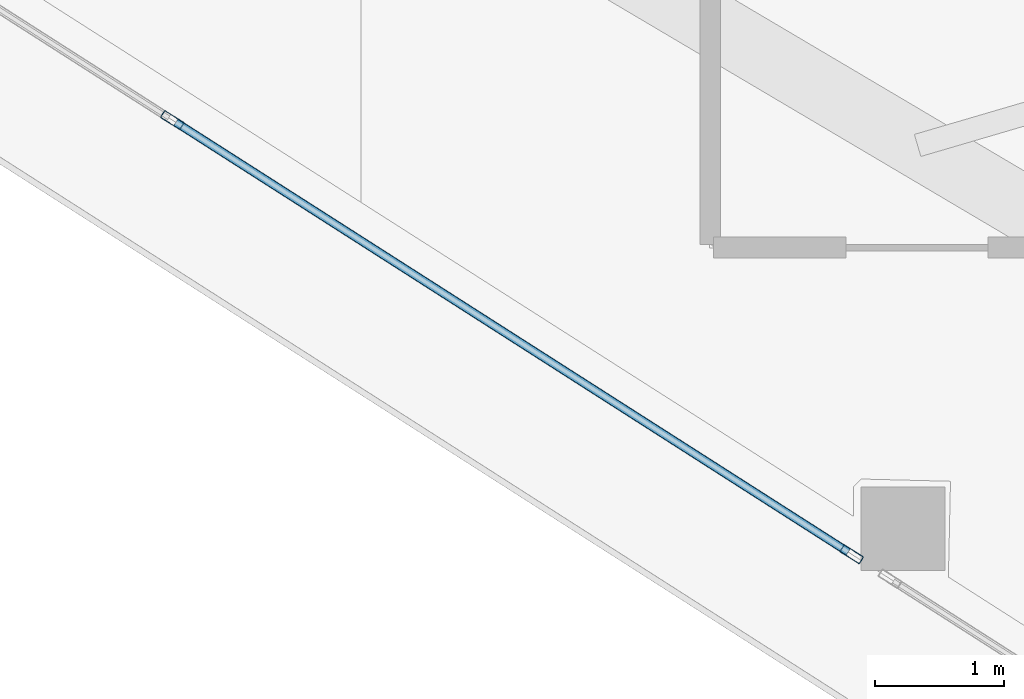
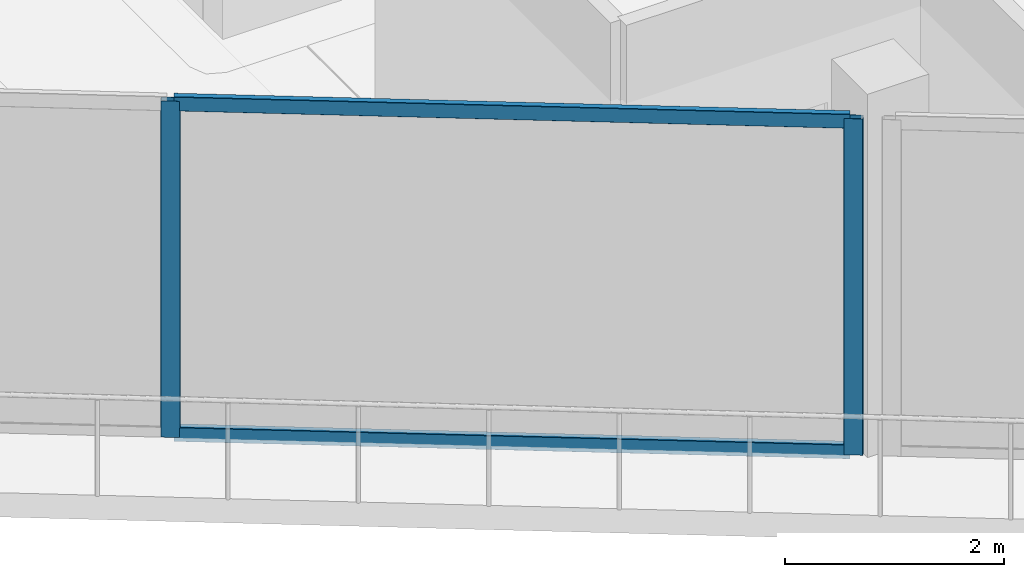
# One storey, part 2 of 34: 4 members, 1 element without a shape of its own.
"""IFC4 building model written with IfcOpenShell, lengths in metres."""

from ifc_helpers import new_model, si_unit, direction, frame, origin, origin_2d, place, context, subcontext, project, spatial, hollow_rectangle, extrude, material, layer, layer_set, material_profile, profile_set, type_object, element, aggregate, save


model = new_model("IFC4")

# Units and contexts
model_context = context("Model", 3, precision=1e-05, world=origin(), true_north=direction((0.0, 1.0)))
body_context = subcontext(model_context, "Body", "Model", "MODEL_VIEW")
ifc_project = project(units=[si_unit("LENGTHUNIT", "METRE"), si_unit("AREAUNIT", "SQUARE_METRE"), si_unit("VOLUMEUNIT", "CUBIC_METRE"), si_unit("PLANEANGLEUNIT", "RADIAN"), si_unit("MASSUNIT", "GRAM", prefix="KILO")], contexts=[model_context])

# Site, building, storey
site_placement = place(None, origin())
site = spatial("IfcSite", under=ifc_project, at=site_placement, CompositionType="ELEMENT")
building_placement = place(site_placement, origin())
building = spatial("IfcBuilding", under=site, at=building_placement, Name="Qorvath Tower", CompositionType="ELEMENT")
storey_placement = place(building_placement, frame((0.0, 0.0, 245.550048828125)))
storey = spatial("IfcBuildingStorey", under=building, at=storey_placement, Name="L57", CompositionType="ELEMENT", Elevation=245.550048828125)

# Curtain wall, members
ifc_material_1 = material(Name="Anodised aluminium and triple low-E glass", Category="aluminium")
ifc_layer = layer(ifc_material_1, 0.179931640625)
ifc_layer_set = layer_set([ifc_layer], Name="CW-SYS-3")
curtain_wall_type = type_object("IfcCurtainWallType", Name="CW-SYS-3", PredefinedType="NOTDEFINED", material=ifc_layer_set)
curtain_wall_placement = place(storey_placement, origin())
curtain_wall = element("IfcCurtainWall", 1, at=curtain_wall_placement, inside=storey, type_object=curtain_wall_type, Name="Curtain Wall CW-3 CW-T-L57-2.1", PredefinedType="NOTDEFINED")
ifc_material_2 = material(Name="Anodised aluminium 6063-T6", Category="aluminium")
ifc_material_profile_1 = material_profile(ifc_material_2, hollow_rectangle(XDim=0.06494140625, YDim=0.179931640625, WallThickness=0.00341796875, InnerFilletRadius=0.00341796875, OuterFilletRadius=0.007080078125, at=origin_2d()), Name="CWM 180x65")
ifc_profile_set_1 = profile_set([ifc_material_profile_1], Name="Anodised aluminium 6063-T6")
member_type_1 = type_object("IfcMemberType", Name="CWM-180", PredefinedType="MULLION", material=ifc_profile_set_1)
member_1_placement = place(storey_placement, frame((-42.0234375, -9.970947265625, 0.0), z_axis=(0.0, 0.0, 1.0), x_axis=(0.538531424585, 0.842605426481, 0.0)))
member_1 = element("IfcMember", 2, at=member_1_placement, type_object=member_type_1, Name="CW-3 mullion 3", PredefinedType="MULLION", context=body_context, shape_type="SweptSolid", body=[
    extrude(hollow_rectangle(XDim=0.06494140625, YDim=0.179931640625, WallThickness=0.00341796875, InnerFilletRadius=0.00341796875, OuterFilletRadius=0.007080078125, at=origin_2d()), origin(), (0.0, 0.0, 1.0), 3.75),
])
member_2_placement = place(storey_placement, frame((-36.761962890625, -13.33349609375, 0.0), z_axis=(0.0, 0.0, 1.0), x_axis=(0.538531424585, 0.842605426481, 0.0)))
member_2 = element("IfcMember", 3, at=member_2_placement, type_object=member_type_1, Name="CW-3 mullion 4", PredefinedType="MULLION", context=body_context, shape_type="SweptSolid", body=[
    extrude(hollow_rectangle(XDim=0.06494140625, YDim=0.179931640625, WallThickness=0.00341796875, InnerFilletRadius=0.00341796875, OuterFilletRadius=0.007080078125, at=origin_2d()), origin(), (0.0, 0.0, 1.0), 3.75),
])
ifc_material_3 = material(Name="Anodised aluminium 6063-T6", Category="aluminium")
ifc_material_profile_2 = material_profile(ifc_material_3, hollow_rectangle(XDim=0.06494140625, YDim=0.159912109375, WallThickness=0.00341796875, InnerFilletRadius=0.00341796875, OuterFilletRadius=0.007080078125, at=origin_2d()), Name="CWT 160x65")
ifc_profile_set_2 = profile_set([ifc_material_profile_2], Name="Anodised aluminium 6063-T6")
member_type_2 = type_object("IfcMemberType", Name="CWT-160", PredefinedType="USERDEFINED", material=ifc_profile_set_2)
member_3_placement = place(storey_placement, frame((-41.99609375, -9.98828125, 0.032470703125), z_axis=(0.842599152459, -0.538541241017, 0.0), x_axis=(0.538541241017, 0.842599152459, 0.0)))
member_3 = element("IfcMember", 4, at=member_3_placement, type_object=member_type_2, Name="CW-3 transom 3.1", ObjectType="TRANSOM", PredefinedType="USERDEFINED", context=body_context, shape_type="SweptSolid", body=[
    extrude(hollow_rectangle(XDim=0.06494140625, YDim=0.159912109375, WallThickness=0.00341796875, InnerFilletRadius=0.00341796875, OuterFilletRadius=0.007080078125, at=origin_2d()), origin(), (0.0, 0.0, 1.0), 6.179443359375),
])
member_4_placement = place(storey_placement, frame((-41.99609375, -9.98828125, 3.717529296875), z_axis=(0.842599152459, -0.538541241017, 0.0), x_axis=(0.538541241017, 0.842599152459, 0.0)))
member_4 = element("IfcMember", 5, at=member_4_placement, type_object=member_type_2, Name="CW-3 transom 3.2", ObjectType="TRANSOM", PredefinedType="USERDEFINED", context=body_context, shape_type="SweptSolid", body=[
    extrude(hollow_rectangle(XDim=0.06494140625, YDim=0.159912109375, WallThickness=0.00341796875, InnerFilletRadius=0.00341796875, OuterFilletRadius=0.007080078125, at=origin_2d()), origin(), (0.0, 0.0, 1.0), 6.179443359375),
])
aggregate(curtain_wall, [member_1, member_2, member_3, member_4])

save(model, "model.ifc")
